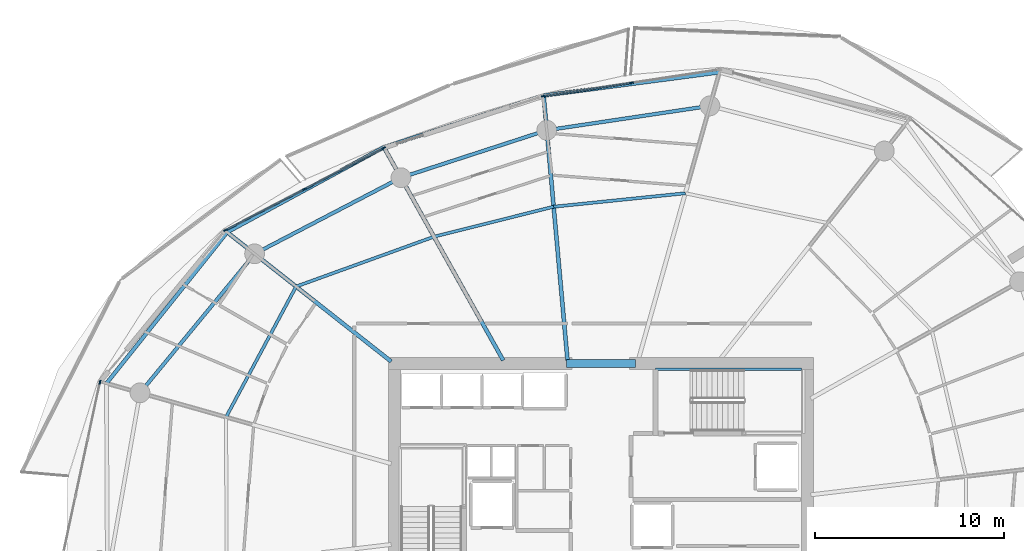
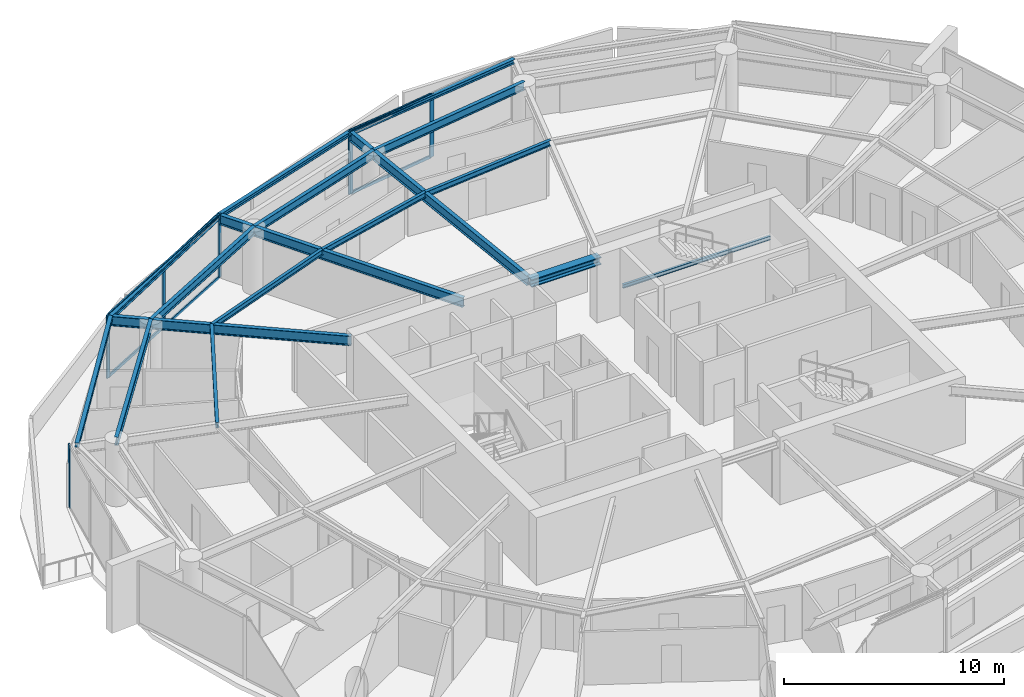
# One storey, part 8 of 21: 17 beams, 12 members, 3 elements without a shape of their own.
"""IFC4 building model written with IfcOpenShell, lengths in metres."""

from ifc_helpers import new_model, si_unit, direction, frame, origin, origin_2d, place, context, subcontext, project, spatial, rectangle, i_section, extrude, material, layer, layer_set, material_profile, profile_set, type_object, element, aggregate, save


model = new_model("IFC4")

# Units and contexts
model_context = context("Model", 3, precision=1e-05, world=origin(), true_north=direction((0.0, 1.0)))
body_context = subcontext(model_context, "Body", "Model", "MODEL_VIEW")
ifc_project = project(units=[si_unit("LENGTHUNIT", "METRE"), si_unit("AREAUNIT", "SQUARE_METRE"), si_unit("VOLUMEUNIT", "CUBIC_METRE"), si_unit("PLANEANGLEUNIT", "RADIAN"), si_unit("MASSUNIT", "GRAM", prefix="KILO")], contexts=[model_context])

# Site, building, storey
site_placement = place(None, origin())
site = spatial("IfcSite", under=ifc_project, at=site_placement, CompositionType="ELEMENT")
building_placement = place(site_placement, origin())
building = spatial("IfcBuilding", under=site, at=building_placement, Name="Kazma Halo Residences", CompositionType="ELEMENT")
storey_placement = place(building_placement, frame((0.0, 0.0, 191.550048828125)))
storey = spatial("IfcBuildingStorey", under=building, at=storey_placement, Name="L48", CompositionType="ELEMENT", Elevation=191.550048828125)

# Beams
ifc_material_1 = material(Name="Steel S355", Category="steel")
ifc_material_profile_1 = material_profile(ifc_material_1, i_section(OverallWidth=0.201904296875, OverallDepth=0.2470703125, WebThickness=0.00732421875, FlangeThickness=0.010986328125, FilletRadius=0.011962890625, at=origin_2d()), Name="W250x49.1")
ifc_profile_set_1 = profile_set([ifc_material_profile_1], Name="Steel S355")
beam_type_1 = type_object("IfcBeamType", Name="BM-BAL-CANT", PredefinedType="BEAM", material=ifc_profile_set_1)
beam_1_placement = place(storey_placement, frame((54.70458984375, 65.772216796875, 3.37646484375), z_axis=(-0.991401891123, -0.130852169558, 0.0), x_axis=(0.130852169558, -0.991401891123, 0.0)))
element("IfcBeam", 1, at=beam_1_placement, inside=storey, type_object=beam_type_1, Name="L48 wave-balcony tie beam 03", PredefinedType="BEAM", context=body_context, shape_type="SweptSolid", body=[
    extrude(i_section(OverallWidth=0.201904296875, OverallDepth=0.2470703125, WebThickness=0.00732421875, FlangeThickness=0.010986328125, FilletRadius=0.011962890625, at=origin_2d()), origin(), (0.0, 0.0, 1.0), 9.401611328125),
])
beam_2_placement = place(storey_placement, frame((45.3837890625, 64.5419921875, 3.37646484375), z_axis=(-0.951434599458, -0.307850942753, 0.0), x_axis=(0.307850942753, -0.951434599458, 0.0)))
element("IfcBeam", 2, at=beam_2_placement, inside=storey, type_object=beam_type_1, Name="L48 wave-balcony tie beam 04", PredefinedType="BEAM", context=body_context, shape_type="SweptSolid", body=[
    extrude(i_section(OverallWidth=0.201904296875, OverallDepth=0.2470703125, WebThickness=0.00732421875, FlangeThickness=0.010986328125, FilletRadius=0.011962890625, at=origin_2d()), origin(), (0.0, 0.0, 1.0), 8.905029296875),
])
beam_3_placement = place(storey_placement, frame((36.9111328125, 61.800537109375, 3.37646484375), z_axis=(-0.878890557257, -0.477023467309, 0.0), x_axis=(0.477023467309, -0.878890557257, 0.0)))
element("IfcBeam", 3, at=beam_3_placement, inside=storey, type_object=beam_type_1, Name="L48 wave-balcony tie beam 05", PredefinedType="BEAM", context=body_context, shape_type="SweptSolid", body=[
    extrude(i_section(OverallWidth=0.201904296875, OverallDepth=0.2470703125, WebThickness=0.00732421875, FlangeThickness=0.010986328125, FilletRadius=0.011962890625, at=origin_2d()), origin(), (0.0, 0.0, 1.0), 9.452880859375),
])
beam_4_placement = place(storey_placement, frame((28.60302734375, 57.291259765625, 3.37646484375), z_axis=(-0.624195724924, -0.781268005864, 0.0), x_axis=(0.781268005864, -0.624195724924, 0.0)))
element("IfcBeam", 4, at=beam_4_placement, inside=storey, type_object=beam_type_1, Name="L48 wave-balcony tie beam 06", PredefinedType="BEAM", context=body_context, shape_type="SweptSolid", body=[
    extrude(i_section(OverallWidth=0.201904296875, OverallDepth=0.2470703125, WebThickness=0.00732421875, FlangeThickness=0.010986328125, FilletRadius=0.011962890625, at=origin_2d()), origin(), (0.0, 0.0, 1.0), 10.258544921875),
])
ifc_material_profile_2 = material_profile(ifc_material_1, i_section(OverallWidth=0.408935546875, OverallDepth=0.425048828125, WebThickness=0.03271484375, FlangeThickness=0.052490234375, FilletRadius=0.02001953125, at=origin_2d()), Name="W360x421")
ifc_profile_set_2 = profile_set([ifc_material_profile_2], Name="Steel S355")
beam_type_2 = type_object("IfcBeamType", Name="BM-CORE-W360H", PredefinedType="BEAM", material=ifc_profile_set_2)
beam_5_placement = place(storey_placement, frame((46.60009765625, 50.324951171875, 3.287353515625), z_axis=(1.0, 0.0, 0.0), x_axis=(0.0, 1.0, 0.0)))
element("IfcBeam", 5, at=beam_5_placement, inside=storey, type_object=beam_type_2, Name="L48 core coupling beam N", PredefinedType="BEAM", context=body_context, shape_type="SweptSolid", body=[
    extrude(i_section(OverallWidth=0.408935546875, OverallDepth=0.425048828125, WebThickness=0.03271484375, FlangeThickness=0.052490234375, FilletRadius=0.02001953125, at=origin_2d()), origin(), (0.0, 0.0, 1.0), 3.64990234375),
])
ifc_material_profile_3 = material_profile(ifc_material_1, i_section(OverallWidth=0.208984375, OverallDepth=0.532958984375, WebThickness=0.01025390625, FlangeThickness=0.015625, FilletRadius=0.01611328125, at=origin_2d()), Name="W530x92")
ifc_profile_set_3 = profile_set([ifc_material_profile_3], Name="Steel S355")
beam_type_3 = type_object("IfcBeamType", Name="BM-RAD-W530", PredefinedType="BEAM", material=ifc_profile_set_3)
beam_6_placement = place(storey_placement, frame((46.64990234375, 50.5, 3.2333984375), z_axis=(-0.089801911205, 0.995959646142, 0.0), x_axis=(-0.995959646142, -0.089801911205, 0.0)))
element("IfcBeam", 6, at=beam_6_placement, inside=storey, type_object=beam_type_3, Name="L48 radial floor beam 04", PredefinedType="BEAM", context=body_context, shape_type="SweptSolid", body=[
    extrude(i_section(OverallWidth=0.208984375, OverallDepth=0.532958984375, WebThickness=0.01025390625, FlangeThickness=0.015625, FilletRadius=0.01611328125, at=origin_2d()), origin(), (0.0, 0.0, 1.0), 14.098876953125),
])
beam_7_placement = place(storey_placement, frame((43.23974609375, 50.5, 3.2333984375), z_axis=(-0.488621736368, 0.872495729931, 0.0), x_axis=(-0.872495729931, -0.488621736368, 0.0)))
element("IfcBeam", 7, at=beam_7_placement, inside=storey, type_object=beam_type_3, Name="L48 radial floor beam 05", PredefinedType="BEAM", context=body_context, shape_type="SweptSolid", body=[
    extrude(i_section(OverallWidth=0.208984375, OverallDepth=0.532958984375, WebThickness=0.01025390625, FlangeThickness=0.015625, FilletRadius=0.01611328125, at=origin_2d()), origin(), (0.0, 0.0, 1.0), 12.951904296875),
])
beam_8_placement = place(storey_placement, frame((37.300048828125, 50.435302734375, 3.2333984375), z_axis=(-0.785326671572, 0.619081593102, 0.0), x_axis=(-0.619081593102, -0.785326671572, 0.0)))
element("IfcBeam", 8, at=beam_8_placement, inside=storey, type_object=beam_type_3, Name="L48 radial floor beam 06", PredefinedType="BEAM", context=body_context, shape_type="SweptSolid", body=[
    extrude(i_section(OverallWidth=0.208984375, OverallDepth=0.532958984375, WebThickness=0.01025390625, FlangeThickness=0.015625, FilletRadius=0.01611328125, at=origin_2d()), origin(), (0.0, 0.0, 1.0), 11.074462890625),
])
ifc_material_profile_4 = material_profile(ifc_material_1, i_section(OverallWidth=0.1650390625, OverallDepth=0.31005859375, WebThickness=0.005859375, FlangeThickness=0.009765625, FilletRadius=0.011962890625, at=origin_2d()), Name="W310x38.7")
ifc_profile_set_4 = profile_set([ifc_material_profile_4], Name="Steel S355")
beam_type_4 = type_object("IfcBeamType", Name="BM-SEC-W310B", PredefinedType="JOIST", material=ifc_profile_set_4)
beam_9_placement = place(storey_placement, frame((52.8955078125, 59.35791015625, 3.344970703125), z_axis=(-0.994813898595, -0.101711883088, 0.0), x_axis=(0.101711883088, -0.994813898595, 0.0)))
element("IfcBeam", 9, at=beam_9_placement, inside=storey, type_object=beam_type_4, Name="L48 circumferential floor joist 03", PredefinedType="JOIST", context=body_context, shape_type="SweptSolid", body=[
    extrude(i_section(OverallWidth=0.1650390625, OverallDepth=0.31005859375, WebThickness=0.005859375, FlangeThickness=0.009765625, FilletRadius=0.011962890625, at=origin_2d()), origin(), (0.0, 0.0, 1.0), 7.01611328125),
])
beam_10_placement = place(storey_placement, frame((45.915771484375, 58.644287109375, 3.344970703125), z_axis=(-0.970019458253, -0.243027263102, 0.0), x_axis=(0.243027263102, -0.970019458253, 0.0)))
element("IfcBeam", 10, at=beam_10_placement, inside=storey, type_object=beam_type_4, Name="L48 circumferential floor joist 04", PredefinedType="JOIST", context=body_context, shape_type="SweptSolid", body=[
    extrude(i_section(OverallWidth=0.1650390625, OverallDepth=0.31005859375, WebThickness=0.005859375, FlangeThickness=0.009765625, FilletRadius=0.011962890625, at=origin_2d()), origin(), (0.0, 0.0, 1.0), 6.542724609375),
])
beam_11_placement = place(storey_placement, frame((39.569091796875, 57.05419921875, 3.344970703125), z_axis=(-0.940484507564, -0.339836565177, 0.0), x_axis=(0.339836565177, -0.940484507564, 0.0)))
element("IfcBeam", 11, at=beam_11_placement, inside=storey, type_object=beam_type_4, Name="L48 circumferential floor joist 05", PredefinedType="JOIST", context=body_context, shape_type="SweptSolid", body=[
    extrude(i_section(OverallWidth=0.1650390625, OverallDepth=0.31005859375, WebThickness=0.005859375, FlangeThickness=0.009765625, FilletRadius=0.011962890625, at=origin_2d()), origin(), (0.0, 0.0, 1.0), 7.776123046875),
])
beam_12_placement = place(storey_placement, frame((32.255859375, 54.41162109375, 3.344970703125), z_axis=(-0.472683532566, -0.881232249774, 0.0), x_axis=(0.881232249774, -0.472683532566, 0.0)))
element("IfcBeam", 12, at=beam_12_placement, inside=storey, type_object=beam_type_4, Name="L48 circumferential floor joist 06", PredefinedType="JOIST", context=body_context, shape_type="SweptSolid", body=[
    extrude(i_section(OverallWidth=0.1650390625, OverallDepth=0.31005859375, WebThickness=0.005859375, FlangeThickness=0.009765625, FilletRadius=0.011962890625, at=origin_2d()), origin(), (0.0, 0.0, 1.0), 7.85693359375),
])
ifc_material_profile_5 = material_profile(ifc_material_1, i_section(OverallWidth=0.18994140625, OverallDepth=0.45703125, WebThickness=0.009033203125, FlangeThickness=0.014404296875, FilletRadius=0.01611328125, at=origin_2d()), Name="W460x74")
ifc_profile_set_5 = profile_set([ifc_material_profile_5], Name="Steel S355")
beam_type_5 = type_object("IfcBeamType", Name="BM-SPN-W460", PredefinedType="BEAM", material=ifc_profile_set_5)
beam_13_placement = place(storey_placement, frame((54.202392578125, 63.99169921875, 3.271484375), z_axis=(-0.98903439143, -0.147685383732, 0.0), x_axis=(0.147685383732, -0.98903439143, 0.0)))
element("IfcBeam", 13, at=beam_13_placement, inside=storey, type_object=beam_type_5, Name="L48 perimeter ring beam 03", PredefinedType="BEAM", context=body_context, shape_type="SweptSolid", body=[
    extrude(i_section(OverallWidth=0.18994140625, OverallDepth=0.45703125, WebThickness=0.009033203125, FlangeThickness=0.014404296875, FilletRadius=0.01611328125, at=origin_2d()), origin(), (0.0, 0.0, 1.0), 8.748291015625),
])
beam_14_placement = place(storey_placement, frame((45.550048828125, 62.69970703125, 3.271484375), z_axis=(-0.951048627281, -0.30904127321, 0.0), x_axis=(0.30904127321, -0.951048627281, 0.0)))
element("IfcBeam", 14, at=beam_14_placement, inside=storey, type_object=beam_type_5, Name="L48 perimeter ring beam 04", PredefinedType="BEAM", context=body_context, shape_type="SweptSolid", body=[
    extrude(i_section(OverallWidth=0.18994140625, OverallDepth=0.45703125, WebThickness=0.009033203125, FlangeThickness=0.014404296875, FilletRadius=0.01611328125, at=origin_2d()), origin(), (0.0, 0.0, 1.0), 8.133056640625),
])
beam_15_placement = place(storey_placement, frame((37.815185546875, 60.186279296875, 3.271484375), z_axis=(-0.886961243394, -0.461843861838, 0.0), x_axis=(0.461843861838, -0.886961243394, 0.0)))
element("IfcBeam", 15, at=beam_15_placement, inside=storey, type_object=beam_type_5, Name="L48 perimeter ring beam 05", PredefinedType="BEAM", context=body_context, shape_type="SweptSolid", body=[
    extrude(i_section(OverallWidth=0.18994140625, OverallDepth=0.45703125, WebThickness=0.009033203125, FlangeThickness=0.014404296875, FilletRadius=0.01611328125, at=origin_2d()), origin(), (0.0, 0.0, 1.0), 8.748046875),
])
beam_16_placement = place(storey_placement, frame((30.055908203125, 56.14599609375, 3.271484375), z_axis=(-0.63601715545, -0.771674917289, 0.0), x_axis=(0.771674917289, -0.63601715545, 0.0)))
element("IfcBeam", 16, at=beam_16_placement, inside=storey, type_object=beam_type_5, Name="L48 perimeter ring beam 06", PredefinedType="BEAM", context=body_context, shape_type="SweptSolid", body=[
    extrude(i_section(OverallWidth=0.18994140625, OverallDepth=0.45703125, WebThickness=0.009033203125, FlangeThickness=0.014404296875, FilletRadius=0.01611328125, at=origin_2d()), origin(), (0.0, 0.0, 1.0), 9.552734375),
])
ifc_material_profile_6 = material_profile(ifc_material_1, i_section(OverallWidth=0.133056640625, OverallDepth=0.20703125, WebThickness=0.005859375, FlangeThickness=0.00830078125, FilletRadius=0.010009765625, at=origin_2d()), Name="W200x26.6")
ifc_profile_set_6 = profile_set([ifc_material_profile_6], Name="Steel S355")
beam_type_6 = type_object("IfcBeamType", Name="BM-TRIM-W200", PredefinedType="BEAM", material=ifc_profile_set_6)
beam_17_placement = place(storey_placement, frame((51.31005859375, 50.02001953125, 1.570068359375), z_axis=(1.0, 0.0, 0.0), x_axis=(0.0, 1.0, 0.0)))
element("IfcBeam", 17, at=beam_17_placement, inside=storey, type_object=beam_type_6, Name="L48 ST-02 landing north wall ledger", PredefinedType="BEAM", context=body_context, shape_type="SweptSolid", body=[
    extrude(i_section(OverallWidth=0.133056640625, OverallDepth=0.20703125, WebThickness=0.005859375, FlangeThickness=0.00830078125, FilletRadius=0.010009765625, at=origin_2d()), origin(), (0.0, 0.0, 1.0), 7.760009765625),
])

# Curtain wall, members
ifc_material_2 = material(Name="Aluminium AW-6063 T6 and Triple-Silver Low-E Glass", Category="aluminium")
ifc_layer = layer(ifc_material_2, 0.219970703125)
ifc_layer_set = layer_set([ifc_layer], Name="Aluminium AW-6063 T6 and Triple-Silver Low-E Glass")
curtain_wall_type = type_object("IfcCurtainWallType", Name="CW-SYS-4", PredefinedType="NOTDEFINED", material=ifc_layer_set)
curtain_wall_1_placement = place(storey_placement, origin())
curtain_wall_1 = element("IfcCurtainWall", 18, at=curtain_wall_1_placement, inside=storey, type_object=curtain_wall_type, Name="L48 unitised curtain wall B03", PredefinedType="NOTDEFINED")
ifc_material_3 = material(Name="Aluminium AW-6063 T6", Category="aluminium")
ifc_material_profile_7 = material_profile(ifc_material_3, rectangle(XDim=0.074951171875, YDim=0.219970703125, at=origin_2d()), Name="CWM-75x220")
ifc_profile_set_7 = profile_set([ifc_material_profile_7], Name="Aluminium AW-6063 T6")
member_type_1 = type_object("IfcMemberType", Name="CW-SYS-4-MUL", PredefinedType="MULLION", material=ifc_profile_set_7)
member_1_placement = place(storey_placement, frame((50.041259765625, 65.211181640625, 0.0), z_axis=(0.0, 0.0, 1.0), x_axis=(0.148772639188, -0.988871428361, 0.0)))
member_1 = element("IfcMember", 19, at=member_1_placement, type_object=member_type_1, Name="CWS-4 mullion 2", PredefinedType="MULLION", context=body_context, shape_type="SweptSolid", body=[
    extrude(rectangle(XDim=0.074951171875, YDim=0.219970703125, at=origin_2d()), origin(), (0.0, 0.0, 1.0), 3.5),
])
member_2_placement = place(storey_placement, frame((45.373779296875, 64.509033203125, 0.0), z_axis=(0.0, 0.0, 1.0), x_axis=(0.148772639188, -0.988871428361, 0.0)))
member_2 = element("IfcMember", 20, at=member_2_placement, type_object=member_type_1, Name="CWS-4 mullion 3", PredefinedType="MULLION", context=body_context, shape_type="SweptSolid", body=[
    extrude(rectangle(XDim=0.074951171875, YDim=0.219970703125, at=origin_2d()), origin(), (0.0, 0.0, 1.0), 3.5),
])

curtain_wall_2_placement = place(storey_placement, origin())
curtain_wall_2 = element("IfcCurtainWall", 21, at=curtain_wall_2_placement, inside=storey, type_object=curtain_wall_type, Name="L48 unitised curtain wall B05", PredefinedType="NOTDEFINED")
member_3_placement = place(storey_placement, frame((36.894287109375, 61.75390625, 0.0), z_axis=(0.0, 0.0, 1.0), x_axis=(0.460873851097, -0.887465657575, 0.0)))
member_3 = element("IfcMember", 22, at=member_3_placement, type_object=member_type_1, Name="CWS-4 mullion 1", PredefinedType="MULLION", context=body_context, shape_type="SweptSolid", body=[
    extrude(rectangle(XDim=0.074951171875, YDim=0.219970703125, at=origin_2d()), origin(), (0.0, 0.0, 1.0), 3.5),
])
member_4_placement = place(storey_placement, frame((32.705322265625, 59.578369140625, 0.0), z_axis=(0.0, 0.0, 1.0), x_axis=(0.460873851097, -0.887465657575, 0.0)))
member_4 = element("IfcMember", 23, at=member_4_placement, type_object=member_type_1, Name="CWS-4 mullion 2", PredefinedType="MULLION", context=body_context, shape_type="SweptSolid", body=[
    extrude(rectangle(XDim=0.074951171875, YDim=0.219970703125, at=origin_2d()), origin(), (0.0, 0.0, 1.0), 3.5),
])
member_5_placement = place(storey_placement, frame((28.5166015625, 57.403076171875, 0.0), z_axis=(0.0, 0.0, 1.0), x_axis=(0.460873851097, -0.887465657575, 0.0)))
member_5 = element("IfcMember", 24, at=member_5_placement, type_object=member_type_1, Name="CWS-4 mullion 3", PredefinedType="MULLION", context=body_context, shape_type="SweptSolid", body=[
    extrude(rectangle(XDim=0.074951171875, YDim=0.219970703125, at=origin_2d()), origin(), (0.0, 0.0, 1.0), 3.5),
])

# Curtain wall, member
curtain_wall_3_placement = place(storey_placement, origin())
curtain_wall_3 = element("IfcCurtainWall", 25, at=curtain_wall_3_placement, inside=storey, type_object=curtain_wall_type, Name="L48 unitised curtain wall B07", PredefinedType="NOTDEFINED")
member_6_placement = place(storey_placement, frame((21.8564453125, 49.334228515625, 0.0), z_axis=(0.0, 0.0, 1.0), x_axis=(0.977768017212, -0.209689543175, 0.0)))
member_6 = element("IfcMember", 26, at=member_6_placement, type_object=member_type_1, Name="CWS-4 mullion 1", PredefinedType="MULLION", context=body_context, shape_type="SweptSolid", body=[
    extrude(rectangle(XDim=0.074951171875, YDim=0.219970703125, at=origin_2d()), origin(), (0.0, 0.0, 1.0), 3.5),
])
aggregate(curtain_wall_3, [member_6])

# Member
ifc_material_profile_8 = material_profile(ifc_material_3, rectangle(XDim=0.074951171875, YDim=0.1650390625, at=origin_2d()), Name="CWT-75x165")
ifc_profile_set_8 = profile_set([ifc_material_profile_8], Name="Aluminium AW-6063 T6")
member_type_2 = type_object("IfcMemberType", Name="CW-SYS-4-TRN", PredefinedType="USERDEFINED", material=ifc_profile_set_8)
member_7_placement = place(storey_placement, frame((50.004150390625, 65.20556640625, 0.037353515625), z_axis=(-0.988876518566, -0.148738801357, 0.0), x_axis=(0.148738801357, -0.988876518566, 0.0)))
member_7 = element("IfcMember", 27, at=member_7_placement, type_object=member_type_2, Name="CWS-4 transom 2.1", ObjectType="TRANSOM", PredefinedType="USERDEFINED", context=body_context, shape_type="SweptSolid", body=[
    extrude(rectangle(XDim=0.074951171875, YDim=0.1650390625, at=origin_2d()), origin(), (0.0, 0.0, 1.0), 4.645263671875),
])

member_8_placement = place(storey_placement, frame((50.004150390625, 65.20556640625, 3.46240234375), z_axis=(-0.988876518566, -0.148738801357, 0.0), x_axis=(0.148738801357, -0.988876518566, 0.0)))
member_8 = element("IfcMember", 28, at=member_8_placement, type_object=member_type_2, Name="CWS-4 transom 2.2", ObjectType="TRANSOM", PredefinedType="USERDEFINED", context=body_context, shape_type="SweptSolid", body=[
    extrude(rectangle(XDim=0.074951171875, YDim=0.1650390625, at=origin_2d()), origin(), (0.0, 0.0, 1.0), 4.645263671875),
])

aggregate(curtain_wall_1, [member_1, member_2, member_7, member_8])

member_9_placement = place(storey_placement, frame((36.861083984375, 61.736572265625, 0.037353515625), z_axis=(-0.887457630519, -0.460889307789, 0.0), x_axis=(0.460889307789, -0.887457630519, 0.0)))
member_9 = element("IfcMember", 29, at=member_9_placement, type_object=member_type_2, Name="CWS-4 transom 1.1", ObjectType="TRANSOM", PredefinedType="USERDEFINED", context=body_context, shape_type="SweptSolid", body=[
    extrude(rectangle(XDim=0.074951171875, YDim=0.1650390625, at=origin_2d()), origin(), (0.0, 0.0, 1.0), 4.64501953125),
])

member_10_placement = place(storey_placement, frame((36.861083984375, 61.736572265625, 3.46240234375), z_axis=(-0.887457630519, -0.460889307789, 0.0), x_axis=(0.460889307789, -0.887457630519, 0.0)))
member_10 = element("IfcMember", 30, at=member_10_placement, type_object=member_type_2, Name="CWS-4 transom 1.2", ObjectType="TRANSOM", PredefinedType="USERDEFINED", context=body_context, shape_type="SweptSolid", body=[
    extrude(rectangle(XDim=0.074951171875, YDim=0.1650390625, at=origin_2d()), origin(), (0.0, 0.0, 1.0), 4.64501953125),
])

member_11_placement = place(storey_placement, frame((32.672119140625, 59.561279296875, 0.037353515625), z_axis=(-0.887457630519, -0.460889307789, 0.0), x_axis=(0.460889307789, -0.887457630519, 0.0)))
member_11 = element("IfcMember", 31, at=member_11_placement, type_object=member_type_2, Name="CWS-4 transom 2.1", ObjectType="TRANSOM", PredefinedType="USERDEFINED", context=body_context, shape_type="SweptSolid", body=[
    extrude(rectangle(XDim=0.074951171875, YDim=0.1650390625, at=origin_2d()), origin(), (0.0, 0.0, 1.0), 4.64501953125),
])

member_12_placement = place(storey_placement, frame((32.672119140625, 59.561279296875, 3.46240234375), z_axis=(-0.887457630519, -0.460889307789, 0.0), x_axis=(0.460889307789, -0.887457630519, 0.0)))
member_12 = element("IfcMember", 32, at=member_12_placement, type_object=member_type_2, Name="CWS-4 transom 2.2", ObjectType="TRANSOM", PredefinedType="USERDEFINED", context=body_context, shape_type="SweptSolid", body=[
    extrude(rectangle(XDim=0.074951171875, YDim=0.1650390625, at=origin_2d()), origin(), (0.0, 0.0, 1.0), 4.64501953125),
])

aggregate(curtain_wall_2, [member_3, member_4, member_5, member_9, member_10, member_11, member_12])

save(model, "model.ifc")
